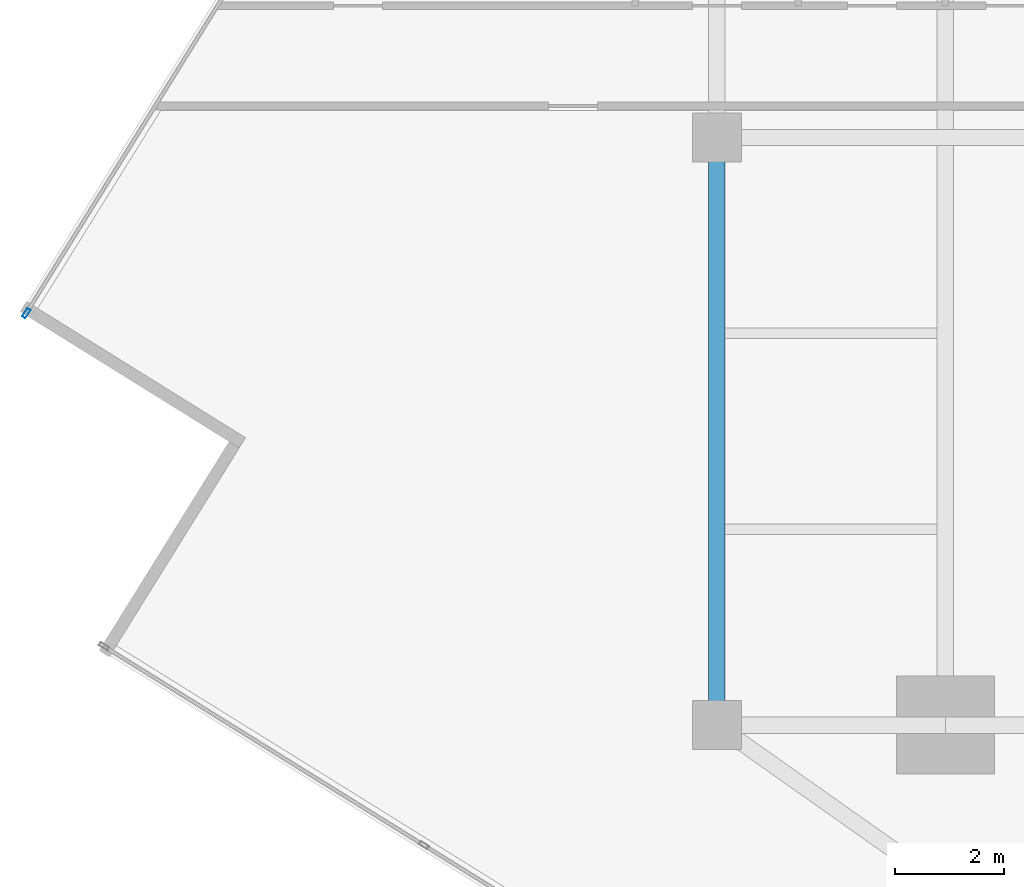
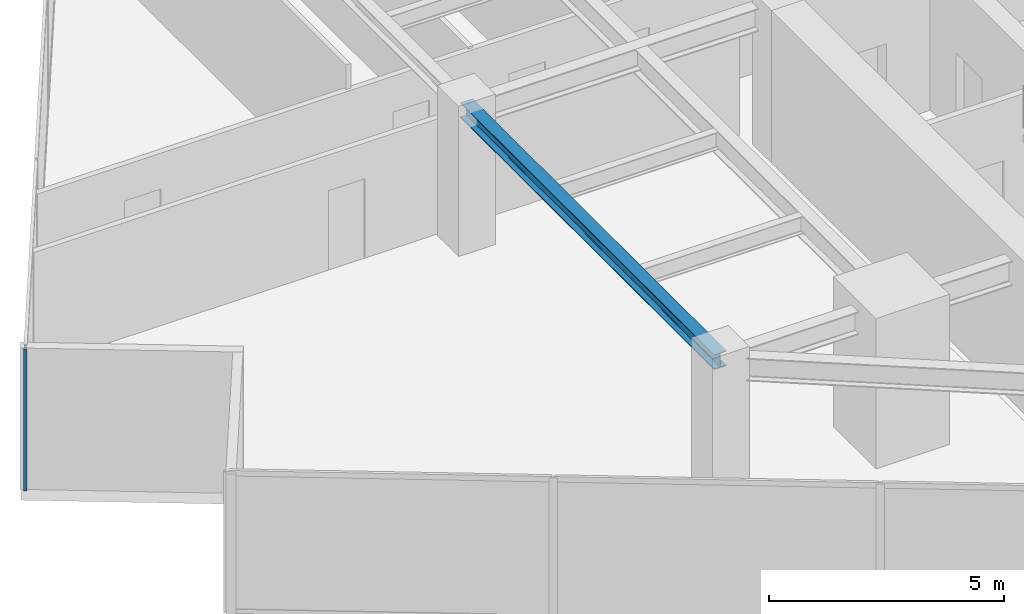
# One storey, part 6 of 26: 1 beam, 1 member, 1 element without a shape of its own.
"""IFC4 building model written with IfcOpenShell, lengths in metres."""

from ifc_helpers import new_model, si_unit, direction, frame, origin, origin_2d, place, context, subcontext, project, spatial, hollow_rectangle, i_section, extrude, source, transform, mapped, material, material_profile, profile_set, type_object, type_shapes, element, aggregate, save


model = new_model("IFC4")

# Units and contexts
model_context = context("Model", 3, precision=1e-05, world=origin(), true_north=direction((0.0, 1.0)))
body_context = subcontext(model_context, "Body", "Model", "MODEL_VIEW")
ifc_project = project(units=[si_unit("LENGTHUNIT", "METRE"), si_unit("AREAUNIT", "SQUARE_METRE"), si_unit("VOLUMEUNIT", "CUBIC_METRE"), si_unit("PLANEANGLEUNIT", "RADIAN"), si_unit("MASSUNIT", "GRAM", prefix="KILO")], contexts=[model_context])

# Site, building, storey
site_placement = place(None, origin())
site = spatial("IfcSite", under=ifc_project, at=site_placement, CompositionType="ELEMENT")
building_placement = place(site_placement, origin())
building = spatial("IfcBuilding", under=site, at=building_placement, Name="Krantzveldt Concourse Tower", CompositionType="ELEMENT")
storey_placement = place(building_placement, frame((0.0, 0.0, 173.85009765625)))
storey = spatial("IfcBuildingStorey", under=building, at=storey_placement, Name="L42", CompositionType="ELEMENT", Elevation=173.85009765625)

# Beam
ifc_material_1 = material(Name="Steel S355JR", Category="steel")
ifc_material_profile_1 = material_profile(ifc_material_1, i_section(OverallWidth=0.300048828125, OverallDepth=0.389892578125, WebThickness=0.010986328125, FlangeThickness=0.01904296875, FilletRadius=0.027099609375, at=origin_2d()), Name="Steel S355JR", Category="steel")
ifc_profile_set_1 = profile_set([ifc_material_profile_1], Name="Steel S355JR - HEA 400")
beam_type = type_object("IfcBeamType", Name="BM-SP-HEA400", PredefinedType="SPANDREL", material=ifc_profile_set_1)
shared_shape_1 = source(origin(), body_context, "Body", "SweptSolid", [
    extrude(i_section(OverallWidth=0.300048828125, OverallDepth=0.389892578125, WebThickness=0.010986328125, FlangeThickness=0.01904296875, FilletRadius=0.027099609375, at=origin_2d()), origin(), (0.0, 0.0, 1.0), 10.800048828125),
])
type_shapes(beam_type, [shared_shape_1])
beam_placement = place(storey_placement, frame((21.0, 15.89990234375, 3.474853515625), z_axis=(0.0, 1.0, 0.0), x_axis=(-1.0, 0.0, 0.0)))
element("IfcBeam", 1, at=beam_placement, inside=storey, type_object=beam_type, Name="L42 Tower Girder SP-R01", PredefinedType="SPANDREL", context=body_context, shape_type="MappedRepresentation", body=[
    mapped(shared_shape_1, transform((0.0, 0.0, 0.0), x_axis=(1.0, 0.0, 0.0), y_axis=(0.0, 1.0, 0.0), z_axis=(0.0, 0.0, 1.0), scale=1.0)),
])

# Curtain wall, member
ifc_material_2 = material(Name="Anodised aluminium 6063-T6", Category="aluminium")
curtain_wall_type = type_object("IfcCurtainWallType", Name="CW3", PredefinedType="USERDEFINED", material=ifc_material_2)
curtain_wall_placement = place(storey_placement, origin())
curtain_wall = element("IfcCurtainWall", 2, at=curtain_wall_placement, inside=storey, type_object=curtain_wall_type, Name="CW-L42-F01", ObjectType="UNITISED CURTAIN WALL", PredefinedType="USERDEFINED")
ifc_material_profile_2 = material_profile(ifc_material_2, hollow_rectangle(XDim=0.070068359375, YDim=0.179931640625, WallThickness=0.0048828125, at=origin_2d()), Name="Anodised aluminium 6063-T6", Category="aluminium")
ifc_profile_set_2 = profile_set([ifc_material_profile_2], Name="Anodised aluminium 6063-T6 - ALU-MULL 180x70x5")
member_type = type_object("IfcMemberType", Name="CW-MUL-180", PredefinedType="MULLION", material=ifc_profile_set_2)
shared_shape_2 = source(origin(), body_context, "Body", "SweptSolid", [
    extrude(hollow_rectangle(XDim=0.070068359375, YDim=0.179931640625, WallThickness=0.0048828125, at=origin_2d()), origin(), (0.0, 0.0, 1.0), 3.669921875),
])
type_shapes(member_type, [shared_shape_2])
member_placement = place(storey_placement, frame((8.30908203125, 23.470703125, 0.0), z_axis=(0.0, 0.0, 1.0), x_axis=(0.84920214961, -0.528067901977, 0.0)))
member = element("IfcMember", 3, at=member_placement, type_object=member_type, Name="CW-Z34 mullion 6", PredefinedType="MULLION", context=body_context, shape_type="MappedRepresentation", body=[
    mapped(shared_shape_2, transform((0.0, 0.0, 0.0), x_axis=(1.0, 0.0, 0.0), y_axis=(0.0, 1.0, 0.0), z_axis=(0.0, 0.0, 1.0), scale=1.0)),
])
aggregate(curtain_wall, [member])

save(model, "model.ifc")
